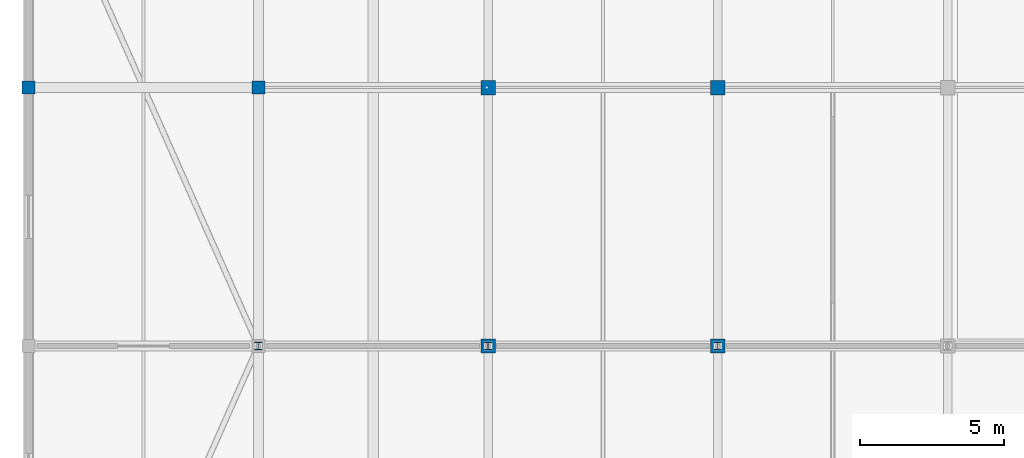
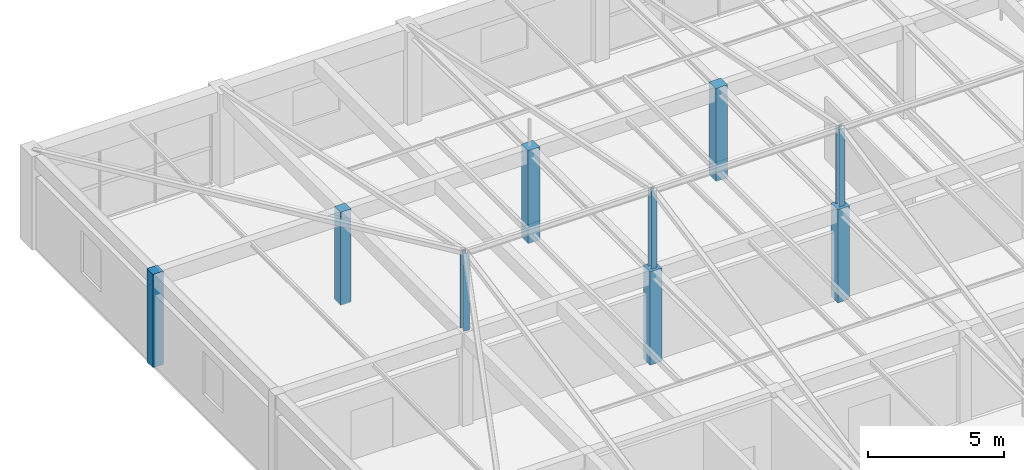
# One storey, part 2 of 65: 9 columns.
"""IFC4 building model written with IfcOpenShell, lengths in metres."""

from ifc_helpers import new_model, si_unit, direction, frame, origin, origin_2d, place, context, subcontext, project, spatial, rectangle, i_section, extrude, material, material_profile, profile_set, type_object, element, save


model = new_model("IFC4")

# Units and contexts
model_context = context("Model", 3, precision=1e-05, world=origin(), true_north=direction((0.0, 1.0)))
body_context = subcontext(model_context, "Body", "Model", "MODEL_VIEW")
ifc_project = project(units=[si_unit("LENGTHUNIT", "METRE"), si_unit("AREAUNIT", "SQUARE_METRE"), si_unit("VOLUMEUNIT", "CUBIC_METRE"), si_unit("PLANEANGLEUNIT", "RADIAN"), si_unit("MASSUNIT", "GRAM", prefix="KILO")], contexts=[model_context])

# Site, building, storey
site_placement = place(None, origin())
site = spatial("IfcSite", under=ifc_project, at=site_placement, CompositionType="ELEMENT")
building_placement = place(site_placement, origin())
building = spatial("IfcBuilding", under=site, at=building_placement, Name="Varnabhumi Central Station", CompositionType="ELEMENT")
storey_placement = place(building_placement, frame((0.0, 0.0, 24.60009765625)))
storey = spatial("IfcBuildingStorey", under=building, at=storey_placement, Name="L05", CompositionType="ELEMENT", Elevation=24.60009765625)

# Columns
ifc_material_1 = material(Name="Concrete M40", Category="concrete")
ifc_material_profile_1 = material_profile(ifc_material_1, rectangle(XDim=0.449951171875, YDim=0.449951171875, at=origin_2d()), Name="Concrete M40", Category="concrete")
ifc_profile_set_1 = profile_set([ifc_material_profile_1], Name="Concrete M40")
column_type_1 = type_object("IfcColumnType", Name="COL-RC-450", PredefinedType="COLUMN", material=ifc_profile_set_1)
for number, where, z_axis, x_axis, name in (
    (1, (32.0, 27.0, 0.0), (0.0, 0.0, 1.0), (1.0, 0.0, 0.0), "Column L05-5D"),
    (2, (40.0, 27.0, 0.0), (0.0, 0.0, 1.0), (1.0, 0.0, 0.0), "Column L05-6D"),
):
    element("IfcColumn", number, at=place(storey_placement, frame(where, z_axis=z_axis, x_axis=x_axis)), inside=storey, type_object=column_type_1, Name=name, PredefinedType="COLUMN", context=body_context, shape_type="SweptSolid", body=[
        extrude(rectangle(XDim=0.449951171875, YDim=0.449951171875, at=origin_2d()), origin(), (0.0, 0.0, 1.0), 4.199951171875),
    ])
ifc_material_2 = material(Name="Structural steel E350", Category="steel")
ifc_material_profile_2 = material_profile(ifc_material_2, i_section(OverallWidth=0.25, OverallDepth=0.25, WebThickness=0.0087890625, FlangeThickness=0.009765625, FilletRadius=0.010009765625, at=origin_2d()), Name="Structural steel E350", Category="steel")
ifc_profile_set_2 = profile_set([ifc_material_profile_2], Name="Structural steel E350")
column_type_2 = type_object("IfcColumnType", Name="COL-STL-ISHB250", PredefinedType="COLUMN", material=ifc_profile_set_2)
for number, where, z_axis, x_axis, name in (
    (3, (40.0, 18.0, 4.199951171875), (0.0, 0.0, 1.0), (1.0, 0.0, 0.0), "Roof Ridge King-Post SW6E-2"),
    (4, (48.0, 18.0, 4.199951171875), (0.0, 0.0, 1.0), (1.0, 0.0, 0.0), "Roof Ridge King-Post SW6E-3"),
    (5, (56.0, 18.0, 4.199951171875), (0.0, 0.0, 1.0), (1.0, 0.0, 0.0), "Roof Ridge King-Post SW6E-4"),
):
    element("IfcColumn", number, at=place(storey_placement, frame(where, z_axis=z_axis, x_axis=x_axis)), inside=storey, type_object=column_type_2, Name=name, PredefinedType="COLUMN", context=body_context, shape_type="SweptSolid", body=[
        extrude(i_section(OverallWidth=0.25, OverallDepth=0.25, WebThickness=0.0087890625, FlangeThickness=0.009765625, FilletRadius=0.010009765625, at=origin_2d()), origin(), (0.0, 0.0, 1.0), 3.5),
    ])
ifc_material_profile_3 = material_profile(ifc_material_1, rectangle(XDim=0.5, YDim=0.5, at=origin_2d()), Name="Concrete M40", Category="concrete")
ifc_profile_set_3 = profile_set([ifc_material_profile_3], Name="Concrete M40")
column_type_3 = type_object("IfcColumnType", Name="COL-UPPER-500", PredefinedType="COLUMN", material=ifc_profile_set_3)
for number, where, z_axis, x_axis, name in (
    (6, (48.0, 18.0, 0.0), (0.0, 0.0, 1.0), (1.0, 0.0, 0.0), "Column L05-7C"),
    (7, (48.0, 27.0, 0.0), (0.0, 0.0, 1.0), (1.0, 0.0, 0.0), "Column L05-7D"),
    (8, (56.0, 18.0, 0.0), (0.0, 0.0, 1.0), (1.0, 0.0, 0.0), "Column L05-8C"),
    (9, (56.0, 27.0, 0.0), (0.0, 0.0, 1.0), (1.0, 0.0, 0.0), "Column L05-8D"),
):
    element("IfcColumn", number, at=place(storey_placement, frame(where, z_axis=z_axis, x_axis=x_axis)), inside=storey, type_object=column_type_3, Name=name, PredefinedType="COLUMN", context=body_context, shape_type="SweptSolid", body=[
        extrude(rectangle(XDim=0.5, YDim=0.5, at=origin_2d()), origin(), (0.0, 0.0, 1.0), 4.199951171875),
    ])

save(model, "model.ifc")
